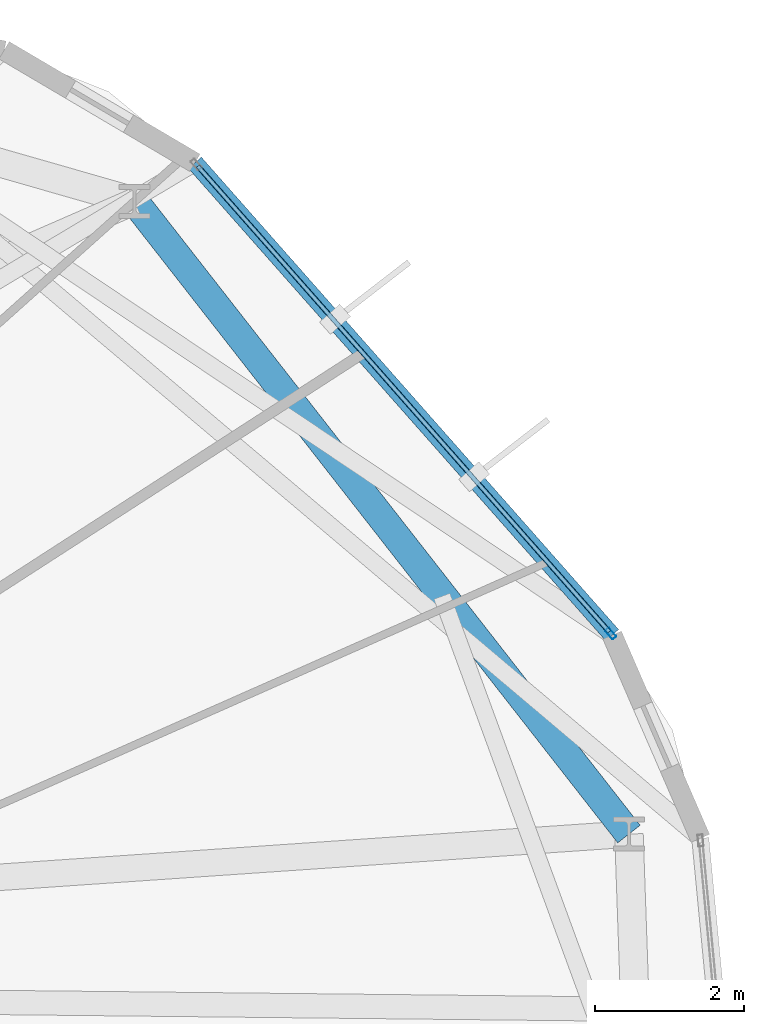
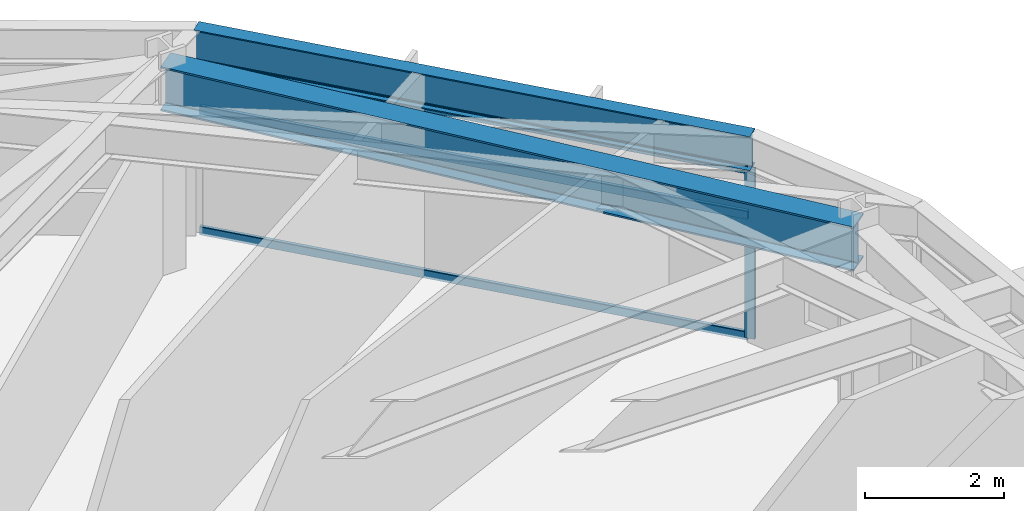
# One storey, part 13 of 23: 4 members, 2 beams, 1 element without a shape of its own.
"""IFC4 building model written with IfcOpenShell, lengths in metres."""

from ifc_helpers import new_model, si_unit, direction, frame, origin, origin_2d, place, context, subcontext, project, spatial, hollow_rectangle, i_section, extrude, material, layer, layer_set, material_profile, profile_set, type_object, element, aggregate, save


model = new_model("IFC4")

# Units and contexts
model_context = context("Model", 3, precision=1e-05, world=origin(), true_north=direction((0.0, 1.0)))
body_context = subcontext(model_context, "Body", "Model", "MODEL_VIEW")
ifc_project = project(units=[si_unit("LENGTHUNIT", "METRE"), si_unit("AREAUNIT", "SQUARE_METRE"), si_unit("VOLUMEUNIT", "CUBIC_METRE"), si_unit("PLANEANGLEUNIT", "RADIAN"), si_unit("MASSUNIT", "GRAM", prefix="KILO")], contexts=[model_context])

# Site, building, storey
site_placement = place(None, origin())
site = spatial("IfcSite", under=ifc_project, at=site_placement, CompositionType="ELEMENT")
building_placement = place(site_placement, origin())
building = spatial("IfcBuilding", under=site, at=building_placement, Name="Soratama Intermodal Tower", CompositionType="ELEMENT")
storey_placement = place(building_placement, frame((0.0, 0.0, 118.60009765625)))
storey = spatial("IfcBuildingStorey", under=building, at=storey_placement, Name="L28", CompositionType="ELEMENT", Elevation=118.60009765625)

# Beams
ifc_material_1 = material(Name="Structural steel ASTM A992 Grade 50", Category="steel")
ifc_material_profile_1 = material_profile(ifc_material_1, i_section(OverallWidth=0.382080078125, OverallDepth=0.779052734375, WebThickness=0.01806640625, FlangeThickness=0.030029296875, FilletRadius=0.01806640625, at=origin_2d()), Name="W30X191")
ifc_profile_set_1 = profile_set([ifc_material_profile_1], Name="Structural steel ASTM A992 Grade 50")
beam_type_1 = type_object("IfcBeamType", Name="BM-RING-W30X191", PredefinedType="BEAM", material=ifc_profile_set_1)
beam_1_placement = place(storey_placement, frame((61.35107421875, 30.950927734375, 3.21044921875), z_axis=(-0.615683690883, 0.787993396407, 0.0), x_axis=(-0.787993396407, -0.615683690883, 0.0)))
element("IfcBeam", 1, at=beam_1_placement, inside=storey, type_object=beam_type_1, Name="BM-L28-RING-01", PredefinedType="BEAM", context=body_context, shape_type="SweptSolid", body=[
    extrude(i_section(OverallWidth=0.382080078125, OverallDepth=0.779052734375, WebThickness=0.01806640625, FlangeThickness=0.030029296875, FilletRadius=0.01806640625, at=origin_2d()), origin(), (0.0, 0.0, 1.0), 10.754150390625),
])
ifc_material_2 = material(Name="Structural steel ASTM A992 Grade 50", Category="steel")
ifc_material_profile_2 = material_profile(ifc_material_2, i_section(OverallWidth=0.22900390625, OverallDepth=0.612060546875, WebThickness=0.011962890625, FlangeThickness=0.01953125, FilletRadius=0.012939453125, at=origin_2d()), Name="W24X84")
ifc_profile_set_2 = profile_set([ifc_material_profile_2], Name="Structural steel ASTM A992 Grade 50")
beam_type_2 = type_object("IfcBeamType", Name="BM-SPN-W24X84", PredefinedType="SPANDREL", material=ifc_profile_set_2)
beam_2_placement = place(storey_placement, frame((61.126953125, 33.614990234375, 3.2939453125), z_axis=(-0.662041439036, 0.749467232772, 0.0), x_axis=(-0.749467232772, -0.662041439036, 0.0)))
element("IfcBeam", 2, at=beam_2_placement, inside=storey, type_object=beam_type_2, Name="BS-L28-F01", PredefinedType="SPANDREL", context=body_context, shape_type="SweptSolid", body=[
    extrude(i_section(OverallWidth=0.22900390625, OverallDepth=0.612060546875, WebThickness=0.011962890625, FlangeThickness=0.01953125, FilletRadius=0.012939453125, at=origin_2d()), origin(), (0.0, 0.0, 1.0), 8.44189453125),
])

# Curtain wall, members
ifc_material_3 = material(Name="Double-glazed aluminium curtain wall", Category="aluminium")
ifc_layer = layer(ifc_material_3, 0.159912109375)
ifc_layer_set = layer_set([ifc_layer], Name="Double-glazed aluminium curtain wall")
curtain_wall_type = type_object("IfcCurtainWallType", Name="CW-SYS-3", PredefinedType="NOTDEFINED", material=ifc_layer_set)
curtain_wall_placement = place(storey_placement, origin())
curtain_wall = element("IfcCurtainWall", 3, at=curtain_wall_placement, inside=storey, type_object=curtain_wall_type, Name="L28 Faceted Curtain Wall F01", PredefinedType="NOTDEFINED")
ifc_material_4 = material(Name="Anodised aluminium AA 6063-T6", Category="aluminium")
ifc_material_profile_3 = material_profile(ifc_material_4, hollow_rectangle(XDim=0.070068359375, YDim=0.159912109375, WallThickness=0.0048828125, InnerFilletRadius=0.0048828125, OuterFilletRadius=0.010009765625, at=origin_2d()), Name="CWM160X70X5")
ifc_profile_set_3 = profile_set([ifc_material_profile_3], Name="Anodised aluminium AA 6063-T6")
member_type_1 = type_object("IfcMemberType", Name="MT-CWM-3", PredefinedType="MULLION", material=ifc_profile_set_3)
member_1_placement = place(storey_placement, frame((61.106689453125, 33.637939453125, 0.0), z_axis=(0.0, 0.0, 1.0), x_axis=(-0.749417662671, -0.662097550877, 0.0)))
member_1 = element("IfcMember", 4, at=member_1_placement, type_object=member_type_1, Name="CW-3 mullion 1", PredefinedType="MULLION", context=body_context, shape_type="SweptSolid", body=[
    extrude(hollow_rectangle(XDim=0.070068359375, YDim=0.159912109375, WallThickness=0.0048828125, InnerFilletRadius=0.0048828125, OuterFilletRadius=0.010009765625, at=origin_2d()), origin(), (0.0, 0.0, 1.0), 2.97900390625),
])
ifc_material_5 = material(Name="Anodised aluminium AA 6063-T6", Category="aluminium")
ifc_material_profile_4 = material_profile(ifc_material_5, hollow_rectangle(XDim=0.06494140625, YDim=0.14990234375, WallThickness=0.0048828125, InnerFilletRadius=0.0048828125, OuterFilletRadius=0.010009765625, at=origin_2d()), Name="CWT150X65X5")
ifc_profile_set_4 = profile_set([ifc_material_profile_4], Name="Anodised aluminium AA 6063-T6")
member_type_2 = type_object("IfcMemberType", Name="TT-CWT-1", PredefinedType="USERDEFINED", material=ifc_profile_set_4)
member_2_placement = place(storey_placement, frame((61.086669921875, 33.660400390625, 0.02978515625), z_axis=(-0.66208630567, 0.749427597467, 0.0), x_axis=(-0.749427597467, -0.66208630567, 0.0)))
member_2 = element("IfcMember", 5, at=member_2_placement, type_object=member_type_2, Name="CW-3 transom 1.1", ObjectType="TRANSOM", PredefinedType="USERDEFINED", context=body_context, shape_type="SweptSolid", body=[
    extrude(hollow_rectangle(XDim=0.06494140625, YDim=0.14990234375, WallThickness=0.0048828125, InnerFilletRadius=0.0048828125, OuterFilletRadius=0.010009765625, at=origin_2d()), origin(), (0.0, 0.0, 1.0), 8.321533203125),
])
member_3_placement = place(storey_placement, frame((61.086669921875, 33.660400390625, 2.14990234375), z_axis=(-0.66208630567, 0.749427597467, 0.0), x_axis=(-0.749427597467, -0.66208630567, 0.0)))
member_3 = element("IfcMember", 6, at=member_3_placement, type_object=member_type_2, Name="CW-3 transom 1.2", ObjectType="TRANSOM", PredefinedType="USERDEFINED", context=body_context, shape_type="SweptSolid", body=[
    extrude(hollow_rectangle(XDim=0.06494140625, YDim=0.14990234375, WallThickness=0.0048828125, InnerFilletRadius=0.0048828125, OuterFilletRadius=0.010009765625, at=origin_2d()), origin(), (0.0, 0.0, 1.0), 8.321533203125),
])
member_4_placement = place(storey_placement, frame((61.086669921875, 33.660400390625, 2.948974609375), z_axis=(-0.66208630567, 0.749427597467, 0.0), x_axis=(-0.749427597467, -0.66208630567, 0.0)))
member_4 = element("IfcMember", 7, at=member_4_placement, type_object=member_type_2, Name="CW-3 transom 1.3", ObjectType="TRANSOM", PredefinedType="USERDEFINED", context=body_context, shape_type="SweptSolid", body=[
    extrude(hollow_rectangle(XDim=0.06494140625, YDim=0.14990234375, WallThickness=0.0048828125, InnerFilletRadius=0.0048828125, OuterFilletRadius=0.010009765625, at=origin_2d()), origin(), (0.0, 0.0, 1.0), 8.321533203125),
])
aggregate(curtain_wall, [member_1, member_2, member_3, member_4])

save(model, "model.ifc")
